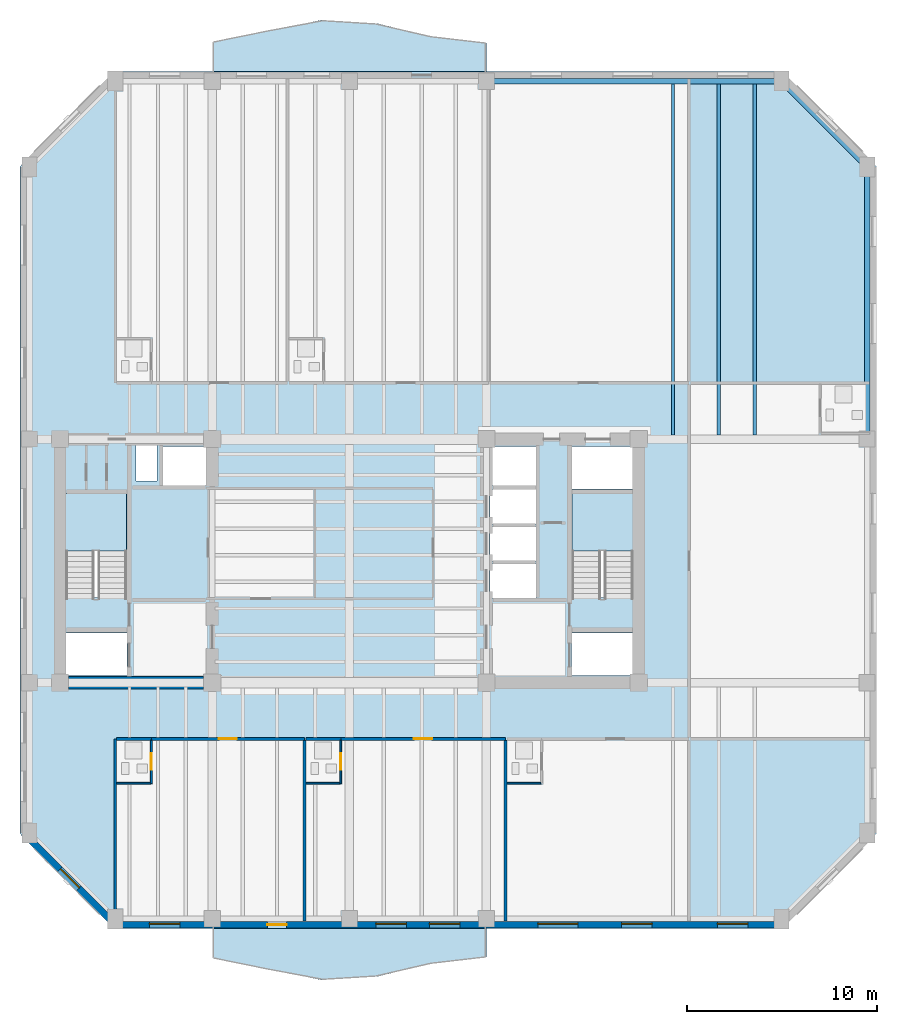
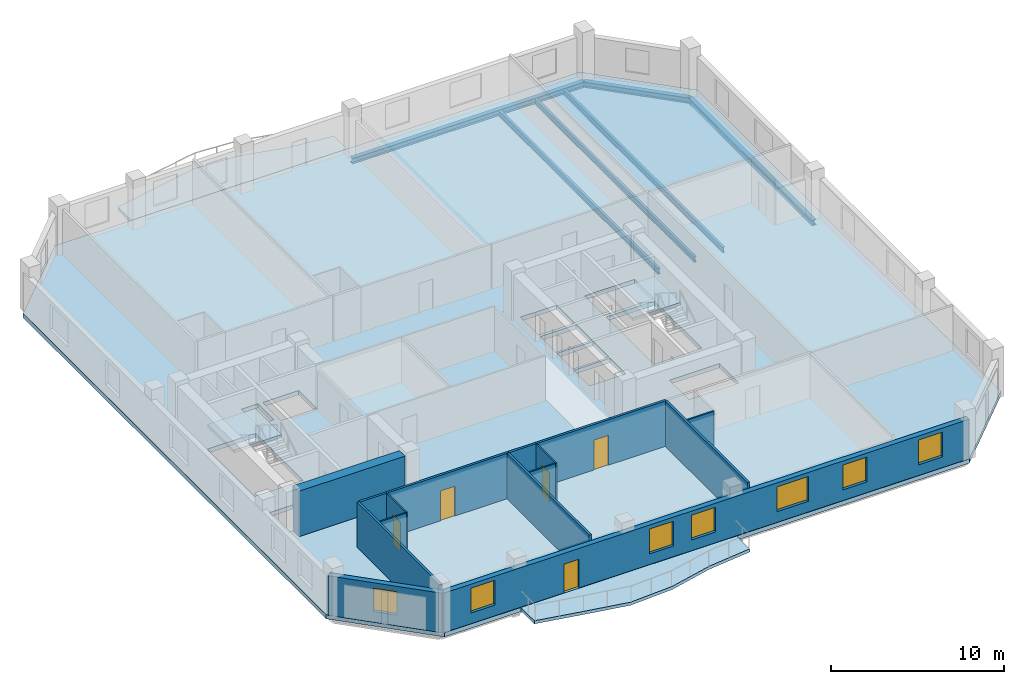
# One storey, part 2 of 9: 15 walls, 7 windows, 6 beams, 5 doors, 5 slabs, 12 openings, 2 elements without a shape of their own.
"""IFC4 building model written with IfcOpenShell, lengths in metres."""

from ifc_helpers import new_model, si_unit, direction, frame, frame_2d, origin, origin_2d, place, context, subcontext, project, spatial, polyline, rectangle, i_section, outline, extrude, material, layer, layer_set, material_profile, profile_set, type_object, element, fill, aggregate, save


model = new_model("IFC4")

# Units and contexts
model_context = context("Model", 3, precision=1e-05, world=origin(), true_north=direction((0.0, 1.0)))
body_context = subcontext(model_context, "Body", "Model", "MODEL_VIEW")
ifc_project = project(units=[si_unit("LENGTHUNIT", "METRE"), si_unit("AREAUNIT", "SQUARE_METRE"), si_unit("VOLUMEUNIT", "CUBIC_METRE"), si_unit("PLANEANGLEUNIT", "RADIAN"), si_unit("MASSUNIT", "GRAM", prefix="KILO")], contexts=[model_context])

# Site, building, storey
site_placement = place(None, origin())
site = spatial("IfcSite", under=ifc_project, at=site_placement, CompositionType="ELEMENT")
building_placement = place(site_placement, origin())
building = spatial("IfcBuilding", under=site, at=building_placement, Name="Kranthara Brick Stack", CompositionType="ELEMENT")
storey_placement = place(building_placement, frame((0.0, 0.0, 169.300048828125)))
storey = spatial("IfcBuildingStorey", under=building, at=storey_placement, Name="L43", CompositionType="ELEMENT", Elevation=169.300048828125)

# Beams
ifc_material_1 = material(Name="Steel S355", Category="steel")
ifc_material_profile_1 = material_profile(ifc_material_1, i_section(OverallWidth=0.179931640625, OverallDepth=0.39990234375, WebThickness=0.008544921875, FlangeThickness=0.013427734375, at=origin_2d()), Name="IPE 400")
ifc_profile_set_1 = profile_set([ifc_material_profile_1], Name="Steel S355")
beam_type_1 = type_object("IfcBeamType", Name="BM-JST-IPE400", PredefinedType="JOIST", material=ifc_profile_set_1)
for number, where, z_axis, x_axis, name in (
    (1, (45.0, 33.824951171875, -0.5), (0.0, 1.0, 0.0), (-1.0, 0.0, 0.0), "L43 North Wing Floor Joist 071"),
    (2, (47.39990234375, 33.824951171875, -0.5), (0.0, 1.0, 0.0), (-1.0, 0.0, 0.0), "L43 North Wing Floor Joist 073"),
    (3, (49.300048828125, 33.824951171875, -0.5), (0.0, 1.0, 0.0), (-1.0, 0.0, 0.0), "L43 North Wing Floor Joist 075"),
):
    element("IfcBeam", number, at=place(storey_placement, frame(where, z_axis=z_axis, x_axis=x_axis)), inside=storey, type_object=beam_type_1, Name=name, PredefinedType="JOIST", context=body_context, shape_type="SweptSolid", body=[
        extrude(i_section(OverallWidth=0.179931640625, OverallDepth=0.39990234375, WebThickness=0.008544921875, FlangeThickness=0.013427734375, at=origin_2d()), origin(), (0.0, 0.0, 1.0), 18.425048828125),
    ])
ifc_material_2 = material(Name="Steel S355", Category="steel")
ifc_material_profile_2 = material_profile(ifc_material_2, i_section(OverallWidth=0.300048828125, OverallDepth=0.39990234375, WebThickness=0.013427734375, FlangeThickness=0.02392578125, at=origin_2d()), Name="HEB 400")
ifc_profile_set_2 = profile_set([ifc_material_profile_2], Name="Steel S355")
beam_type_2 = type_object("IfcBeamType", Name="BM-STL-HEB400", PredefinedType="SPANDREL", material=ifc_profile_set_2)
beam_1_placement = place(storey_placement, frame((35.199951171875, 52.39990234375, -0.5), z_axis=(1.0, 0.0, 0.0), x_axis=(0.0, 1.0, 0.0)))
element("IfcBeam", 4, at=beam_1_placement, inside=storey, type_object=beam_type_2, Name="L43 Perimeter Spandrel Beam 012", PredefinedType="SPANDREL", context=body_context, shape_type="SweptSolid", body=[
    extrude(i_section(OverallWidth=0.300048828125, OverallDepth=0.39990234375, WebThickness=0.013427734375, FlangeThickness=0.02392578125, at=origin_2d()), origin(), (0.0, 0.0, 1.0), 15.5),
])
beam_2_placement = place(storey_placement, frame((55.199951171875, 33.60009765625, -0.5), z_axis=(0.0, 1.0, 0.0), x_axis=(-1.0, 0.0, 0.0)))
element("IfcBeam", 5, at=beam_2_placement, inside=storey, type_object=beam_type_2, Name="L43 Perimeter Spandrel Beam 018", PredefinedType="SPANDREL", context=body_context, shape_type="SweptSolid", body=[
    extrude(i_section(OverallWidth=0.300048828125, OverallDepth=0.39990234375, WebThickness=0.013427734375, FlangeThickness=0.02392578125, at=origin_2d()), origin(), (0.0, 0.0, 1.0), 14.2998046875),
])
beam_3_placement = place(storey_placement, frame((50.699951171875, 52.39990234375, -0.5), z_axis=(0.707106781187, -0.707106781187, 0.0), x_axis=(0.707106781187, 0.707106781187, 0.0)))
element("IfcBeam", 6, at=beam_3_placement, inside=storey, type_object=beam_type_2, Name="L43 Chamfer Corner Spandrel 022", PredefinedType="SPANDREL", context=body_context, shape_type="SweptSolid", body=[
    extrude(i_section(OverallWidth=0.300048828125, OverallDepth=0.39990234375, WebThickness=0.013427734375, FlangeThickness=0.02392578125, at=origin_2d()), origin(), (0.0, 0.0, 1.0), 6.364013671875),
])

# Slabs
ifc_material_3 = material(Name="Concrete C45/55", Category="concrete")
ifc_layer_1 = layer(ifc_material_3, 0.219970703125)
ifc_layer_set_1 = layer_set([ifc_layer_1], Name="Concrete C45/55")
slab_type_1 = type_object("IfcSlabType", Name="SLB-BALC-220", PredefinedType="FLOOR", material=ifc_layer_set_1)
slab_1_placement = place(storey_placement, frame((0.0, 0.0, -0.219970703125)))
element("IfcSlab", 7, at=slab_1_placement, inside=storey, type_object=slab_type_1, Name="L43 South Rippling Balcony Slab", PredefinedType="FLOOR", context=body_context, shape_type="SweptSolid", body=[
    extrude(outline(polyline([(20.800048828125, 7.89990234375), (35.199951171875, 7.89990234375), (35.199951171875, 6.3974609375), (32.320068359375, 6.05712890625), (29.43994140625, 5.362060546875), (26.56005859375, 5.18603515625), (23.679931640625, 5.7509765625), (20.800048828125, 6.345947265625), (20.800048828125, 7.89990234375)])), origin(), (0.0, 0.0, 1.0), 0.219970703125),
])
slab_2_placement = place(storey_placement, frame((0.0, 0.0, -0.219970703125)))
element("IfcSlab", 8, at=slab_2_placement, inside=storey, type_object=slab_type_1, Name="L43 North Rippling Balcony Slab", PredefinedType="FLOOR", context=body_context, shape_type="SweptSolid", body=[
    extrude(outline(polyline([(35.199951171875, 52.89990234375), (20.800048828125, 52.89990234375), (20.800048828125, 54.4541015625), (23.679931640625, 55.049072265625), (26.56005859375, 55.61376953125), (29.43994140625, 55.43798828125), (32.320068359375, 54.74267578125), (35.199951171875, 54.40234375), (35.199951171875, 52.89990234375)])), origin(), (0.0, 0.0, 1.0), 0.219970703125),
])

# Stair, slab
ifc_material_4 = material(Name="Concrete C45/55", Category="concrete")
stair_type = type_object("IfcStairType", Name="ST-CORE-20R", PredefinedType="HALF_TURN_STAIR", material=ifc_material_4)
stair_1_placement = place(storey_placement, origin())
stair_1 = element("IfcStair", 9, at=stair_1_placement, inside=storey, type_object=stair_type, Name="L43 West Core Protected Exit Stair ST01", PredefinedType="HALF_TURN_STAIR")
ifc_material_5 = material(Name="Concrete C45/55", Category="concrete")
ifc_layer_2 = layer(ifc_material_5, 0.199951171875)
ifc_layer_set_2 = layer_set([ifc_layer_2], Name="Concrete C45/55")
slab_type_2 = type_object("IfcSlabType", Name="SLB-LANDING-200", PredefinedType="LANDING", material=ifc_layer_set_2)
slab_3_placement = place(storey_placement, frame((0.0, 0.0, 1.550048828125)))
slab_3 = element("IfcSlab", 10, at=slab_3_placement, type_object=slab_type_2, Name="ST01 landing 1", PredefinedType="LANDING", context=body_context, shape_type="SweptSolid", body=[
    extrude(outline(polyline([(16.300048828125, 27.719970703125), (16.300048828125, 30.75), (13.10009765625, 30.75), (13.10009765625, 27.719970703125), (16.300048828125, 27.719970703125)])), origin(), (0.0, 0.0, 1.0), 0.199951171875),
])
aggregate(stair_1, [slab_3])

stair_2_placement = place(storey_placement, origin())
stair_2 = element("IfcStair", 11, at=stair_2_placement, inside=storey, type_object=stair_type, Name="L43 East Core Protected Exit Stair ST02", PredefinedType="HALF_TURN_STAIR")
slab_4_placement = place(storey_placement, frame((0.0, 0.0, 1.550048828125)))
slab_4 = element("IfcSlab", 12, at=slab_4_placement, type_object=slab_type_2, Name="ST02 landing 1", PredefinedType="LANDING", context=body_context, shape_type="SweptSolid", body=[
    extrude(outline(polyline([(42.89990234375, 27.719970703125), (42.89990234375, 30.75), (39.699951171875, 30.75), (39.699951171875, 27.719970703125), (42.89990234375, 27.719970703125)])), origin(), (0.0, 0.0, 1.0), 0.199951171875),
])
aggregate(stair_2, [slab_4])

# Slab
ifc_material_6 = material(Name="Post-tensioned concrete C45/55", Category="concrete")
ifc_layer_3 = layer(ifc_material_6, 0.300048828125)
ifc_layer_set_3 = layer_set([ifc_layer_3], Name="Post-tensioned concrete C45/55")
slab_type_3 = type_object("IfcSlabType", Name="SLB-TWR-300", PredefinedType="FLOOR", material=ifc_layer_set_3)
slab_5_placement = place(storey_placement, frame((0.0, 0.0, -0.300048828125)))
element("IfcSlab", 13, at=slab_5_placement, inside=storey, type_object=slab_type_3, Name="L43 Structural Floor Plate", PredefinedType="FLOOR", context=body_context, shape_type="SweptSolid", body=[
    extrude(outline(polyline([(15.699951171875, 7.89990234375), (50.699951171875, 7.89990234375), (55.699951171875, 12.89990234375), (55.699951171875, 47.89990234375), (50.699951171875, 52.89990234375), (15.699951171875, 52.89990234375), (10.699951171875, 47.89990234375), (10.699951171875, 12.89990234375), (15.699951171875, 7.89990234375)]), holes=[polyline([(13.10009765625, 25.280029296875), (16.300048828125, 25.280029296875), (16.300048828125, 30.75), (13.10009765625, 30.75), (13.10009765625, 25.280029296875)]), polyline([(39.699951171875, 25.280029296875), (42.89990234375, 25.280029296875), (42.89990234375, 30.75), (39.699951171875, 30.75), (39.699951171875, 25.280029296875)]), polyline([(13.0, 21.179931640625), (16.320068359375, 21.179931640625), (16.320068359375, 23.419921875), (13.0, 23.419921875), (13.0, 21.179931640625)]), polyline([(39.679931640625, 21.179931640625), (43.0, 21.179931640625), (43.0, 23.419921875), (39.679931640625, 23.419921875), (39.679931640625, 21.179931640625)]), polyline([(39.679931640625, 30.97998046875), (43.0, 30.97998046875), (43.0, 33.219970703125), (39.679931640625, 33.219970703125), (39.679931640625, 30.97998046875)]), polyline([(35.39990234375, 25.25), (37.800048828125, 25.25), (37.800048828125, 27.050048828125), (35.39990234375, 27.050048828125), (35.39990234375, 25.25)]), polyline([(35.39990234375, 27.199951171875), (37.800048828125, 27.199951171875), (37.800048828125, 29.0), (35.39990234375, 29.0), (35.39990234375, 27.199951171875)]), polyline([(35.39990234375, 29.14990234375), (37.800048828125, 29.14990234375), (37.800048828125, 30.949951171875), (35.39990234375, 30.949951171875), (35.39990234375, 29.14990234375)]), polyline([(18.199951171875, 31.14990234375), (20.60009765625, 31.14990234375), (20.60009765625, 33.219970703125), (18.199951171875, 33.219970703125), (18.199951171875, 31.14990234375)]), polyline([(35.39990234375, 31.14990234375), (37.800048828125, 31.14990234375), (37.800048828125, 33.219970703125), (35.39990234375, 33.219970703125), (35.39990234375, 31.14990234375)]), polyline([(16.800048828125, 31.39990234375), (17.89990234375, 31.39990234375), (17.89990234375, 33.25), (16.800048828125, 33.25), (16.800048828125, 31.39990234375)])]), origin(), (0.0, 0.0, 1.0), 0.300048828125),
])

# Wall, openings, door, windows
ifc_material_7 = material(Name="Kiln-fired clay brick masonry M15", Category="masonry")
ifc_layer_4 = layer(ifc_material_7, 0.35009765625)
ifc_layer_set_4 = layer_set([ifc_layer_4], Name="Kiln-fired clay brick masonry M15")
wall_type_1 = type_object("IfcWallType", Name="WL-BRK-SPND-350", PredefinedType="STANDARD", material=ifc_layer_set_4)
wall_1_placement = place(storey_placement, frame((50.699951171875, 8.094970703125, 0.0), z_axis=(0.0, 0.0, 1.0), x_axis=(-1.0, 0.0, 0.0)))
wall_1 = element("IfcWall", 14, at=wall_1_placement, inside=storey, type_object=wall_type_1, Name="L43 Exterior Brick Facade Wall SOUTH 1", PredefinedType="STANDARD", context=body_context, shape_type="SweptSolid", body=[
    extrude(rectangle(XDim=35.0, YDim=0.35009765625, at=frame_2d((17.5, 0.0))), origin(), (0.0, 0.0, 1.0), 2.784912109375),
])
opening_1_placement = place(wall_1_placement, frame((26.0, 0.0, 0.0)))
opening_1 = element("IfcOpeningElement", 15, at=opening_1_placement, cuts=wall_1, Name="Opening D03", PredefinedType="OPENING", context=body_context, shape_type="SweptSolid", body=[
    extrude(rectangle(XDim=1.0, YDim=2.02001953125, at=frame_2d((0.5, 1.010009765625))), frame((0.0, 0.18505859375, 0.0), z_axis=(0.0, -1.0, 0.0), x_axis=(1.0, 0.0, 0.0)), (0.0, 0.0, 1.0), 0.3701171875),
])
opening_2_placement = place(wall_1_placement, frame((1.762939453125, 0.0, 0.75)))
opening_2 = element("IfcOpeningElement", 16, at=opening_2_placement, cuts=wall_1, Name="Opening WN04", PredefinedType="OPENING", context=body_context, shape_type="SweptSolid", body=[
    extrude(rectangle(XDim=1.60009765625, YDim=1.75, at=frame_2d((0.800048828125, 0.875))), frame((0.0, 0.18505859375, 0.0), z_axis=(0.0, -1.0, 0.0), x_axis=(1.0, 0.0, 0.0)), (0.0, 0.0, 1.0), 0.3701171875),
])
opening_3_placement = place(wall_1_placement, frame((6.798095703125, 0.0, 0.75)))
opening_3 = element("IfcOpeningElement", 17, at=opening_3_placement, cuts=wall_1, Name="Opening WN04", PredefinedType="OPENING", context=body_context, shape_type="SweptSolid", body=[
    extrude(rectangle(XDim=1.60009765625, YDim=1.75, at=frame_2d((0.800048828125, 0.875))), frame((0.0, 0.18505859375, 0.0), z_axis=(0.0, -1.0, 0.0), x_axis=(1.0, 0.0, 0.0)), (0.0, 0.0, 1.0), 0.3701171875),
])
opening_4_placement = place(wall_1_placement, frame((10.699951171875, 0.0, 0.75)))
opening_4 = element("IfcOpeningElement", 18, at=opening_4_placement, cuts=wall_1, Name="Opening WN05", PredefinedType="OPENING", context=body_context, shape_type="SweptSolid", body=[
    extrude(rectangle(XDim=2.10009765625, YDim=1.75, at=frame_2d((1.050048828125, 0.875))), frame((0.0, 0.18505859375, 0.0), z_axis=(0.0, -1.0, 0.0), x_axis=(1.0, 0.0, 0.0)), (0.0, 0.0, 1.0), 0.3701171875),
])
opening_5_placement = place(wall_1_placement, frame((16.89599609375, 0.0, 0.75)))
opening_5 = element("IfcOpeningElement", 19, at=opening_5_placement, cuts=wall_1, Name="Opening WN04", PredefinedType="OPENING", context=body_context, shape_type="SweptSolid", body=[
    extrude(rectangle(XDim=1.60009765625, YDim=1.75, at=frame_2d((0.800048828125, 0.875))), frame((0.0, 0.18505859375, 0.0), z_axis=(0.0, -1.0, 0.0), x_axis=(1.0, 0.0, 0.0)), (0.0, 0.0, 1.0), 0.3701171875),
])
opening_6_placement = place(wall_1_placement, frame((19.7041015625, 0.0, 0.75)))
opening_6 = element("IfcOpeningElement", 20, at=opening_6_placement, cuts=wall_1, Name="Opening WN04", PredefinedType="OPENING", context=body_context, shape_type="SweptSolid", body=[
    extrude(rectangle(XDim=1.60009765625, YDim=1.75, at=frame_2d((0.800048828125, 0.875))), frame((0.0, 0.18505859375, 0.0), z_axis=(0.0, -1.0, 0.0), x_axis=(1.0, 0.0, 0.0)), (0.0, 0.0, 1.0), 0.3701171875),
])
opening_7_placement = place(wall_1_placement, frame((31.60009765625, 0.0, 0.75)))
opening_7 = element("IfcOpeningElement", 21, at=opening_7_placement, cuts=wall_1, Name="Opening WN04", PredefinedType="OPENING", context=body_context, shape_type="SweptSolid", body=[
    extrude(rectangle(XDim=1.60009765625, YDim=1.75, at=frame_2d((0.800048828125, 0.875))), frame((0.0, 0.18505859375, 0.0), z_axis=(0.0, -1.0, 0.0), x_axis=(1.0, 0.0, 0.0)), (0.0, 0.0, 1.0), 0.3701171875),
])
ifc_material_8 = material(Name="Bronze anodised aluminium and laminated glass", Category="aluminium")
door_type_1 = type_object("IfcDoorType", Name="DR-BALC-1000", OperationType="NOTDEFINED", PredefinedType="DOOR", material=ifc_material_8)
door_1_placement = place(opening_1_placement, origin())
door_1 = element("IfcDoor", 22, at=door_1_placement, inside=storey, type_object=door_type_1, Name="L43 South Balcony Terrace Door", OperationType="SINGLE_SWING_LEFT", OverallHeight=2.02001953125, OverallWidth=1.0, PredefinedType="DOOR", context=body_context, shape_type="SweptSolid", body=[
    extrude(rectangle(XDim=1.0, YDim=2.02001953125, at=frame_2d((0.5, 1.010009765625))), frame((0.0, 0.02490234375, 0.0), z_axis=(0.0, -1.0, 0.0), x_axis=(1.0, 0.0, 0.0)), (0.0, 0.0, 1.0), 0.050048828125),
])
fill(opening_1, door_1)
ifc_material_9 = material(Name="Double-glazed low-E solar control glass", Category="glass")
window_type_1 = type_object("IfcWindowType", Name="WN-HTL-1600x1850", PartitioningType="DOUBLE_PANEL_VERTICAL", PredefinedType="WINDOW", material=ifc_material_9)
window_1_placement = place(opening_2_placement, origin())
window_1 = element("IfcWindow", 23, at=window_1_placement, inside=storey, type_object=window_type_1, Name="L43 South Deep-Set Brick Window 01", OverallHeight=1.75, OverallWidth=1.60009765625, PartitioningType="SINGLE_PANEL", PredefinedType="WINDOW", context=body_context, shape_type="SweptSolid", body=[
    extrude(rectangle(XDim=1.60009765625, YDim=1.75, at=frame_2d((0.800048828125, 0.875))), frame((0.0, -0.010009765625, 0.0), z_axis=(0.0, -1.0, 0.0), x_axis=(1.0, 0.0, 0.0)), (0.0, 0.0, 1.0), 0.06005859375),
])
fill(opening_2, window_1)
window_2_placement = place(opening_3_placement, origin())
window_2 = element("IfcWindow", 24, at=window_2_placement, inside=storey, type_object=window_type_1, Name="L43 South Deep-Set Brick Window 02", OverallHeight=1.75, OverallWidth=1.60009765625, PartitioningType="SINGLE_PANEL", PredefinedType="WINDOW", context=body_context, shape_type="SweptSolid", body=[
    extrude(rectangle(XDim=1.60009765625, YDim=1.75, at=frame_2d((0.800048828125, 0.875))), frame((0.0, -0.010009765625, 0.0), z_axis=(0.0, -1.0, 0.0), x_axis=(1.0, 0.0, 0.0)), (0.0, 0.0, 1.0), 0.06005859375),
])
fill(opening_3, window_2)
window_3_placement = place(opening_5_placement, origin())
window_3 = element("IfcWindow", 25, at=window_3_placement, inside=storey, type_object=window_type_1, Name="L43 South Deep-Set Brick Window 04", OverallHeight=1.75, OverallWidth=1.60009765625, PartitioningType="SINGLE_PANEL", PredefinedType="WINDOW", context=body_context, shape_type="SweptSolid", body=[
    extrude(rectangle(XDim=1.60009765625, YDim=1.75, at=frame_2d((0.800048828125, 0.875))), frame((0.0, -0.010009765625, 0.0), z_axis=(0.0, -1.0, 0.0), x_axis=(1.0, 0.0, 0.0)), (0.0, 0.0, 1.0), 0.06005859375),
])
fill(opening_5, window_3)
window_4_placement = place(opening_6_placement, origin())
window_4 = element("IfcWindow", 26, at=window_4_placement, inside=storey, type_object=window_type_1, Name="L43 South Deep-Set Brick Window 05", OverallHeight=1.75, OverallWidth=1.60009765625, PartitioningType="SINGLE_PANEL", PredefinedType="WINDOW", context=body_context, shape_type="SweptSolid", body=[
    extrude(rectangle(XDim=1.60009765625, YDim=1.75, at=frame_2d((0.800048828125, 0.875))), frame((0.0, -0.010009765625, 0.0), z_axis=(0.0, -1.0, 0.0), x_axis=(1.0, 0.0, 0.0)), (0.0, 0.0, 1.0), 0.06005859375),
])
fill(opening_6, window_4)
window_5_placement = place(opening_7_placement, origin())
window_5 = element("IfcWindow", 27, at=window_5_placement, inside=storey, type_object=window_type_1, Name="L43 South Deep-Set Brick Window 06", OverallHeight=1.75, OverallWidth=1.60009765625, PartitioningType="SINGLE_PANEL", PredefinedType="WINDOW", context=body_context, shape_type="SweptSolid", body=[
    extrude(rectangle(XDim=1.60009765625, YDim=1.75, at=frame_2d((0.800048828125, 0.875))), frame((0.0, -0.010009765625, 0.0), z_axis=(0.0, -1.0, 0.0), x_axis=(1.0, 0.0, 0.0)), (0.0, 0.0, 1.0), 0.06005859375),
])
fill(opening_7, window_5)
ifc_material_10 = material(Name="Double-glazed low-E solar control glass", Category="glass")
window_type_2 = type_object("IfcWindowType", Name="WN-HTL-2100x1850", PartitioningType="DOUBLE_PANEL_VERTICAL", PredefinedType="WINDOW", material=ifc_material_10)
window_6_placement = place(opening_4_placement, origin())
window_6 = element("IfcWindow", 28, at=window_6_placement, inside=storey, type_object=window_type_2, Name="L43 South Deep-Set Brick Window 03", OverallHeight=1.75, OverallWidth=2.10009765625, PartitioningType="SINGLE_PANEL", PredefinedType="WINDOW", context=body_context, shape_type="SweptSolid", body=[
    extrude(rectangle(XDim=2.10009765625, YDim=1.75, at=frame_2d((1.050048828125, 0.875))), frame((0.0, -0.010009765625, 0.0), z_axis=(0.0, -1.0, 0.0), x_axis=(1.0, 0.0, 0.0)), (0.0, 0.0, 1.0), 0.06005859375),
])
fill(opening_4, window_6)

# Wall, opening, window
wall_2_placement = place(storey_placement, frame((15.699951171875, 8.094970703125, 0.0), z_axis=(0.0, 0.0, 1.0), x_axis=(-0.707106781187, 0.707106781187, 0.0)))
wall_2 = element("IfcWall", 29, at=wall_2_placement, inside=storey, type_object=wall_type_1, Name="L43 Exterior Brick Facade Wall SW 1", PredefinedType="STANDARD", context=body_context, shape_type="SweptSolid", body=[
    extrude(rectangle(XDim=6.795166015625, YDim=0.35009765625, at=frame_2d((3.3974609375, 0.0))), origin(), (0.0, 0.0, 1.0), 2.784912109375),
])
opening_8_placement = place(wall_2_placement, frame((2.697998046875, 0.0, 0.75)))
opening_8 = element("IfcOpeningElement", 30, at=opening_8_placement, cuts=wall_2, Name="Opening WN10", PredefinedType="OPENING", context=body_context, shape_type="SweptSolid", body=[
    extrude(rectangle(XDim=1.39990234375, YDim=1.64990234375, at=frame_2d((0.699951171875, 0.824951171875))), frame((0.0, 0.18505859375, 0.0), z_axis=(0.0, -1.0, 0.0), x_axis=(1.0, 0.0, 0.0)), (0.0, 0.0, 1.0), 0.3701171875),
])
ifc_material_11 = material(Name="Double-glazed low-E solar control glass", Category="glass")
window_type_3 = type_object("IfcWindowType", Name="WN-CHM-1400x1750", PartitioningType="SINGLE_PANEL", PredefinedType="WINDOW", material=ifc_material_11)
window_7_placement = place(opening_8_placement, origin())
window_7 = element("IfcWindow", 31, at=window_7_placement, inside=storey, type_object=window_type_3, Name="L43 SW Chamfer Corner Window", OverallHeight=1.64990234375, OverallWidth=1.39990234375, PartitioningType="SINGLE_PANEL", PredefinedType="WINDOW", context=body_context, shape_type="SweptSolid", body=[
    extrude(rectangle(XDim=1.39990234375, YDim=1.64990234375, at=frame_2d((0.699951171875, 0.824951171875))), frame((0.0, -0.010009765625, 0.0), z_axis=(0.0, -1.0, 0.0), x_axis=(1.0, 0.0, 0.0)), (0.0, 0.0, 1.0), 0.06005859375),
])
fill(opening_8, window_7)

# Wall
ifc_material_12 = material(Name="Concrete C60/75", Category="concrete")
ifc_layer_5 = layer(ifc_material_12, 0.64990234375)
ifc_layer_set_5 = layer_set([ifc_layer_5], Name="Concrete C60/75")
wall_type_2 = type_object("IfcWallType", Name="WL-CORE-650", PredefinedType="SHEAR", material=ifc_layer_set_5)
wall_3_placement = place(storey_placement, frame((13.2548828125, 20.800048828125, 0.0), z_axis=(0.0, 0.0, 1.0), x_axis=(1.0, 0.0, 0.0)))
element("IfcWall", 32, at=wall_3_placement, inside=storey, type_object=wall_type_2, Name="L43 West Core Shear Wall South", PredefinedType="SHEAR", context=body_context, shape_type="SweptSolid", body=[
    extrude(rectangle(XDim=7.090087890625, YDim=0.64990234375, at=frame_2d((3.544921875, 0.0))), origin(), (0.0, 0.0, 1.0), 3.199951171875),
])

# Wall, opening, door
ifc_material_13 = material(Name="Moisture-resistant wet-room partition", Category="other")
ifc_layer_6 = layer(ifc_material_13, 0.10009765625)
ifc_layer_set_6 = layer_set([ifc_layer_6], Name="Moisture-resistant wet-room partition")
wall_type_3 = type_object("IfcWallType", Name="WL-PART-100", PredefinedType="PARTITIONING", material=ifc_layer_set_6)
wall_4_placement = place(storey_placement, frame((17.60009765625, 15.52001953125, 0.0), z_axis=(0.0, 0.0, 1.0), x_axis=(0.0, 1.0, 0.0)))
wall_4 = element("IfcWall", 33, at=wall_4_placement, inside=storey, type_object=wall_type_3, Name="L43 Interior Partition 012", PredefinedType="PARTITIONING", context=body_context, shape_type="SweptSolid", body=[
    extrude(rectangle(XDim=2.25, YDim=0.10009765625, at=frame_2d((1.125, 0.0))), origin(), (0.0, 0.0, 1.0), 3.199951171875),
])
opening_9_placement = place(wall_4_placement, frame((0.719970703125, 0.0, 0.0)))
opening_9 = element("IfcOpeningElement", 34, at=opening_9_placement, cuts=wall_4, Name="Opening D17", PredefinedType="OPENING", context=body_context, shape_type="SweptSolid", body=[
    extrude(rectangle(XDim=0.85009765625, YDim=2.050048828125, at=frame_2d((0.425048828125, 1.02490234375))), frame((0.0, 0.06005859375, 0.0), z_axis=(0.0, -1.0, 0.0), x_axis=(1.0, 0.0, 0.0)), (0.0, 0.0, 1.0), 0.1201171875),
])
ifc_material_14 = material(Name="Solid-core hardwood timber leaf in steel frame", Category="steel")
door_type_2 = type_object("IfcDoorType", Name="DR-WET-850", OperationType="NOTDEFINED", PredefinedType="DOOR", material=ifc_material_14)
door_2_placement = place(opening_9_placement, origin())
door_2 = element("IfcDoor", 35, at=door_2_placement, inside=storey, type_object=door_type_2, Name="L43 Key 01 En-Suite Door 07", OperationType="SINGLE_SWING_LEFT", OverallHeight=2.050048828125, OverallWidth=0.85009765625, PredefinedType="DOOR", context=body_context, shape_type="SweptSolid", body=[
    extrude(rectangle(XDim=0.85009765625, YDim=2.050048828125, at=frame_2d((0.425048828125, 1.02490234375))), frame((0.0, 0.02490234375, 0.0), z_axis=(0.0, -1.0, 0.0), x_axis=(1.0, 0.0, 0.0)), (0.0, 0.0, 1.0), 0.050048828125),
])
fill(opening_9, door_2)

# Wall
wall_5_placement = place(storey_placement, frame((15.780029296875, 15.52001953125, 0.0), z_axis=(0.0, 0.0, 1.0), x_axis=(1.0, 0.0, 0.0)))
element("IfcWall", 36, at=wall_5_placement, inside=storey, type_object=wall_type_3, Name="L43 Interior Partition 013", PredefinedType="PARTITIONING", context=body_context, shape_type="SweptSolid", body=[
    extrude(rectangle(XDim=1.764892578125, YDim=0.10009765625, at=frame_2d((0.88232421875, 0.0))), origin(), (0.0, 0.0, 1.0), 3.199951171875),
])

# Wall, opening, door
wall_6_placement = place(storey_placement, frame((27.549072265625, 15.52001953125, 0.0), z_axis=(0.0, 0.0, 1.0), x_axis=(0.0, 1.0, 0.0)))
wall_6 = element("IfcWall", 37, at=wall_6_placement, inside=storey, type_object=wall_type_3, Name="L43 Interior Partition 017", PredefinedType="PARTITIONING", context=body_context, shape_type="SweptSolid", body=[
    extrude(rectangle(XDim=2.25, YDim=0.10009765625, at=frame_2d((1.125, 0.0))), origin(), (0.0, 0.0, 1.0), 3.199951171875),
])
opening_10_placement = place(wall_6_placement, frame((0.719970703125, 0.0, 0.0)))
opening_10 = element("IfcOpeningElement", 38, at=opening_10_placement, cuts=wall_6, Name="Opening D17", PredefinedType="OPENING", context=body_context, shape_type="SweptSolid", body=[
    extrude(rectangle(XDim=0.85009765625, YDim=2.050048828125, at=frame_2d((0.425048828125, 1.02490234375))), frame((0.0, 0.06005859375, 0.0), z_axis=(0.0, -1.0, 0.0), x_axis=(1.0, 0.0, 0.0)), (0.0, 0.0, 1.0), 0.1201171875),
])
door_3_placement = place(opening_10_placement, origin())
door_3 = element("IfcDoor", 39, at=door_3_placement, inside=storey, type_object=door_type_2, Name="L43 Key 02 En-Suite Door 09", OperationType="SINGLE_SWING_LEFT", OverallHeight=2.050048828125, OverallWidth=0.85009765625, PredefinedType="DOOR", context=body_context, shape_type="SweptSolid", body=[
    extrude(rectangle(XDim=0.85009765625, YDim=2.050048828125, at=frame_2d((0.425048828125, 1.02490234375))), frame((0.0, 0.02490234375, 0.0), z_axis=(0.0, -1.0, 0.0), x_axis=(1.0, 0.0, 0.0)), (0.0, 0.0, 1.0), 0.050048828125),
])
fill(opening_10, door_3)

# Walls
wall_7_placement = place(storey_placement, frame((25.72900390625, 15.52001953125, 0.0), z_axis=(0.0, 0.0, 1.0), x_axis=(1.0, 0.0, 0.0)))
element("IfcWall", 40, at=wall_7_placement, inside=storey, type_object=wall_type_3, Name="L43 Interior Partition 018", PredefinedType="PARTITIONING", context=body_context, shape_type="SweptSolid", body=[
    extrude(rectangle(XDim=1.764892578125, YDim=0.10009765625, at=frame_2d((0.88232421875, 0.0))), origin(), (0.0, 0.0, 1.0), 3.199951171875),
])
wall_8_placement = place(storey_placement, frame((36.281982421875, 15.52001953125, 0.0), z_axis=(0.0, 0.0, 1.0), x_axis=(1.0, 0.0, 0.0)))
element("IfcWall", 41, at=wall_8_placement, inside=storey, type_object=wall_type_3, Name="L43 Interior Partition 023", PredefinedType="PARTITIONING", context=body_context, shape_type="SweptSolid", body=[
    extrude(rectangle(XDim=1.76513671875, YDim=0.10009765625, at=frame_2d((0.882568359375, 0.0))), origin(), (0.0, 0.0, 1.0), 3.199951171875),
])
ifc_material_15 = material(Name="Fire-rated gypsum board partition", Category="other")
ifc_layer_7 = layer(ifc_material_15, 0.14990234375)
ifc_layer_set_7 = layer_set([ifc_layer_7], Name="Fire-rated gypsum board partition")
wall_type_4 = type_object("IfcWallType", Name="WL-PART-150", PredefinedType="PARTITIONING", material=ifc_layer_set_7)
wall_9_placement = place(storey_placement, frame((15.699951171875, 8.27490234375, 0.0), z_axis=(0.0, 0.0, 1.0), x_axis=(0.0, 1.0, 0.0)))
element("IfcWall", 42, at=wall_9_placement, inside=storey, type_object=wall_type_4, Name="L43 Interior Partition 009", PredefinedType="PARTITIONING", context=body_context, shape_type="SweptSolid", body=[
    extrude(rectangle(XDim=9.5751953125, YDim=0.14990234375, at=frame_2d((4.78759765625, 0.0))), origin(), (0.0, 0.0, 1.0), 3.199951171875),
])
wall_10_placement = place(storey_placement, frame((15.780029296875, 17.85009765625, 0.0), z_axis=(0.0, 0.0, 1.0), x_axis=(1.0, 0.0, 0.0)))
element("IfcWall", 43, at=wall_10_placement, inside=storey, type_object=wall_type_4, Name="L43 Interior Partition 010", PredefinedType="PARTITIONING", context=body_context, shape_type="SweptSolid", body=[
    extrude(rectangle(XDim=1.820068359375, YDim=0.14990234375, at=frame_2d((0.91015625, 0.0))), origin(), (0.0, 0.0, 1.0), 3.199951171875),
])

# Wall, opening, door
wall_11_placement = place(storey_placement, frame((17.60009765625, 17.85009765625, 0.0), z_axis=(0.0, 0.0, 1.0), x_axis=(1.0, 0.0, 0.0)))
wall_11 = element("IfcWall", 44, at=wall_11_placement, inside=storey, type_object=wall_type_4, Name="L43 Interior Partition 011", PredefinedType="PARTITIONING", context=body_context, shape_type="SweptSolid", body=[
    extrude(rectangle(XDim=8.048828125, YDim=0.14990234375, at=frame_2d((4.0244140625, 0.0))), origin(), (0.0, 0.0, 1.0), 3.199951171875),
])
opening_11_placement = place(wall_11_placement, frame((3.544921875, 0.0, 0.0)))
opening_11 = element("IfcOpeningElement", 45, at=opening_11_placement, cuts=wall_11, Name="Opening D09", PredefinedType="OPENING", context=body_context, shape_type="SweptSolid", body=[
    extrude(rectangle(XDim=0.949951171875, YDim=2.10009765625, at=frame_2d((0.47509765625, 1.050048828125))), frame((0.0, 0.0849609375, 0.0), z_axis=(0.0, -1.0, 0.0), x_axis=(1.0, 0.0, 0.0)), (0.0, 0.0, 1.0), 0.169921875),
])
ifc_material_16 = material(Name="Solid-core hardwood timber leaf in steel frame", Category="steel")
door_type_3 = type_object("IfcDoorType", Name="DR-FD-950", OperationType="NOTDEFINED", PredefinedType="DOOR", material=ifc_material_16)
door_4_placement = place(opening_11_placement, origin())
door_4 = element("IfcDoor", 46, at=door_4_placement, inside=storey, type_object=door_type_3, Name="L43 Key 01 Entry 08", OperationType="SINGLE_SWING_RIGHT", OverallHeight=2.10009765625, OverallWidth=0.949951171875, PredefinedType="DOOR", context=body_context, shape_type="SweptSolid", body=[
    extrude(rectangle(XDim=0.949951171875, YDim=2.10009765625, at=frame_2d((0.47509765625, 1.050048828125))), frame((0.0, 0.02490234375, 0.0), z_axis=(0.0, -1.0, 0.0), x_axis=(1.0, 0.0, 0.0)), (0.0, 0.0, 1.0), 0.050048828125),
])
fill(opening_11, door_4)

# Walls
wall_12_placement = place(storey_placement, frame((25.64892578125, 8.27490234375, 0.0), z_axis=(0.0, 0.0, 1.0), x_axis=(0.0, 1.0, 0.0)))
element("IfcWall", 47, at=wall_12_placement, inside=storey, type_object=wall_type_4, Name="L43 Interior Partition 014", PredefinedType="PARTITIONING", context=body_context, shape_type="SweptSolid", body=[
    extrude(rectangle(XDim=9.4951171875, YDim=0.14990234375, at=frame_2d((4.74755859375, 0.0))), origin(), (0.0, 0.0, 1.0), 3.199951171875),
])
wall_13_placement = place(storey_placement, frame((25.72900390625, 17.85009765625, 0.0), z_axis=(0.0, 0.0, 1.0), x_axis=(1.0, 0.0, 0.0)))
element("IfcWall", 48, at=wall_13_placement, inside=storey, type_object=wall_type_4, Name="L43 Interior Partition 015", PredefinedType="PARTITIONING", context=body_context, shape_type="SweptSolid", body=[
    extrude(rectangle(XDim=1.820068359375, YDim=0.14990234375, at=frame_2d((0.91015625, 0.0))), origin(), (0.0, 0.0, 1.0), 3.199951171875),
])

# Wall, opening, door
wall_14_placement = place(storey_placement, frame((27.549072265625, 17.85009765625, 0.0), z_axis=(0.0, 0.0, 1.0), x_axis=(1.0, 0.0, 0.0)))
wall_14 = element("IfcWall", 49, at=wall_14_placement, inside=storey, type_object=wall_type_4, Name="L43 Interior Partition 016", PredefinedType="PARTITIONING", context=body_context, shape_type="SweptSolid", body=[
    extrude(rectangle(XDim=8.65283203125, YDim=0.14990234375, at=frame_2d((4.326416015625, 0.0))), origin(), (0.0, 0.0, 1.0), 3.199951171875),
])
opening_12_placement = place(wall_14_placement, frame((3.845947265625, 0.0, 0.0)))
opening_12 = element("IfcOpeningElement", 50, at=opening_12_placement, cuts=wall_14, Name="Opening D09", PredefinedType="OPENING", context=body_context, shape_type="SweptSolid", body=[
    extrude(rectangle(XDim=0.949951171875, YDim=2.10009765625, at=frame_2d((0.47509765625, 1.050048828125))), frame((0.0, 0.0849609375, 0.0), z_axis=(0.0, -1.0, 0.0), x_axis=(1.0, 0.0, 0.0)), (0.0, 0.0, 1.0), 0.169921875),
])
door_5_placement = place(opening_12_placement, origin())
door_5 = element("IfcDoor", 51, at=door_5_placement, inside=storey, type_object=door_type_3, Name="L43 Key 02 Entry 10", OperationType="SINGLE_SWING_RIGHT", OverallHeight=2.10009765625, OverallWidth=0.949951171875, PredefinedType="DOOR", context=body_context, shape_type="SweptSolid", body=[
    extrude(rectangle(XDim=0.949951171875, YDim=2.10009765625, at=frame_2d((0.47509765625, 1.050048828125))), frame((0.0, 0.02490234375, 0.0), z_axis=(0.0, -1.0, 0.0), x_axis=(1.0, 0.0, 0.0)), (0.0, 0.0, 1.0), 0.050048828125),
])
fill(opening_12, door_5)

# Wall
wall_15_placement = place(storey_placement, frame((36.201904296875, 8.27490234375, 0.0), z_axis=(0.0, 0.0, 1.0), x_axis=(0.0, 1.0, 0.0)))
element("IfcWall", 52, at=wall_15_placement, inside=storey, type_object=wall_type_4, Name="L43 Interior Partition 019", PredefinedType="PARTITIONING", context=body_context, shape_type="SweptSolid", body=[
    extrude(rectangle(XDim=9.4951171875, YDim=0.14990234375, at=frame_2d((4.74755859375, 0.0))), origin(), (0.0, 0.0, 1.0), 3.199951171875),
])

save(model, "model.ifc")
